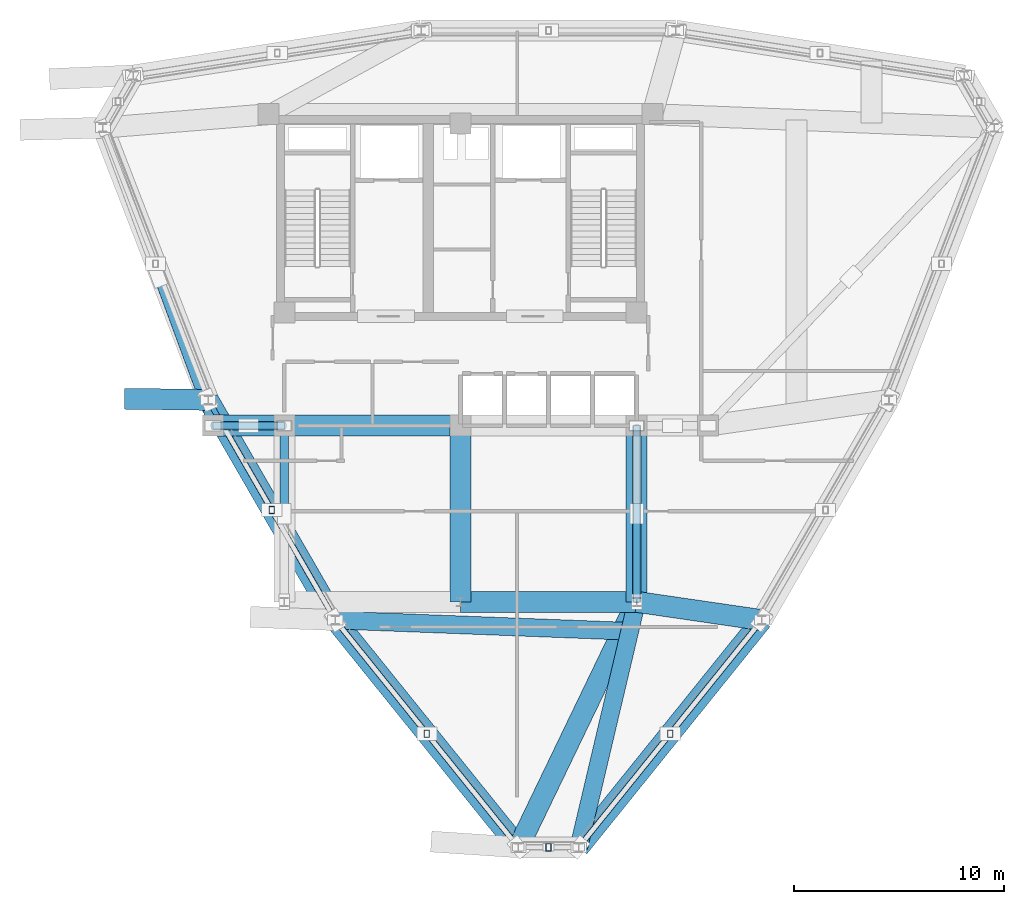
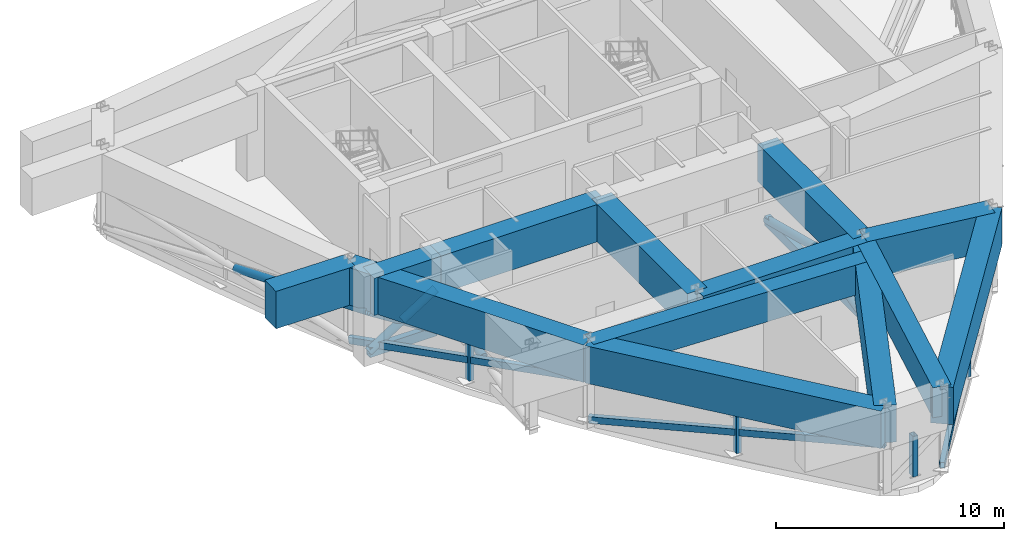
# One storey, part 2 of 11: 16 members, 13 beams.
"""IFC4 building model written with IfcOpenShell, lengths in metres."""

import ifcopenshell
import ifcopenshell.guid

model = None  # the IFC model being written
_history = None  # IfcOwnerHistory: only IFC2X3 demands one
_inside = {}  # id of a spatial element -> (the spatial element, [elements in it])
_under = {}  # id of a project, library or spatial element -> (it, [spatial elements below it])
_declared = {}  # id of a project -> (the project, [libraries it declares])
_typed = {}  # id of a type object -> (the type object, [elements of that type])
_made_of = {}  # id of a material, layer set ... -> (it, [elements and type objects made of it])


def new_model(schema):
    """Start an empty IFC model of exactly this schema.

    Asked for "IFC4X3", IfcOpenShell would pick the latest addendum, in which some entities
    have other attributes; the version numbers below select the first issue.
    IFC2X3 requires an IfcOwnerHistory on every rooted entity: one is made here for all.
    """
    global model, _history
    if schema == "IFC4X3":
        model = ifcopenshell.file(schema_version=(4, 3, 0, 0))
    else:
        model = ifcopenshell.file(schema=schema)
    _inside.clear()
    _under.clear()
    _declared.clear()
    _typed.clear()
    _made_of.clear()
    _history = None
    if model.schema == "IFC2X3":
        org = make("IfcOrganization", Name="unknown")
        user = make(
            "IfcPersonAndOrganization",
            ThePerson=make("IfcPerson", FamilyName="unknown"),
            TheOrganization=org,
        )
        app = make(
            "IfcApplication",
            ApplicationDeveloper=org,
            Version="unknown",
            ApplicationFullName="unknown",
            ApplicationIdentifier="unknown",
        )
        _history = make(
            "IfcOwnerHistory",
            OwningUser=user,
            OwningApplication=app,
            ChangeAction="ADDED",
            CreationDate=0,
        )
    return model


def make(cls, **values):
    """One entity of the class cls with the attributes given. An attribute that is None is left unset."""
    return model.create_entity(
        cls, **{name: value for name, value in values.items() if value is not None}
    )


def rooted(cls, **values):
    """An entity with a GlobalId (a new one), such as an element, a storey or a relation."""
    return make(cls, GlobalId=ifcopenshell.guid.new(), OwnerHistory=_history, **values)


def si_unit(unit_type, name, prefix=None):
    """IfcSIUnit, for example si_unit("LENGTHUNIT", "METRE", prefix="MILLI")."""
    return make("IfcSIUnit", UnitType=unit_type, Prefix=prefix, Name=name)


def derived_unit(unit_type, elements):
    """IfcDerivedUnit: a product of units, each with its exponent."""
    return make(
        "IfcDerivedUnit",
        Elements=[
            make("IfcDerivedUnitElement", Unit=unit, Exponent=power)
            for unit, power in elements
        ],
        UnitType=unit_type,
    )


def assignment(units):
    """IfcUnitAssignment: the units of a project."""
    return None if units is None else make("IfcUnitAssignment", Units=units)


def point(xyz):
    """IfcCartesianPoint."""
    return None if xyz is None else make("IfcCartesianPoint", Coordinates=xyz)


def direction(xyz):
    """IfcDirection."""
    return None if xyz is None else make("IfcDirection", DirectionRatios=xyz)


def frame(location, z_axis=None, x_axis=None):
    """IfcAxis2Placement3D, a coordinate frame: its origin and axes. An axis left out is left unset."""
    return make(
        "IfcAxis2Placement3D",
        Location=point(location),
        Axis=direction(z_axis),
        RefDirection=direction(x_axis),
    )


def frame_2d(location, x_axis=None):
    """IfcAxis2Placement2D, a coordinate frame in the plane: its origin and x axis."""
    return make(
        "IfcAxis2Placement2D", Location=point(location), RefDirection=direction(x_axis)
    )


def origin():
    """The frame at (0, 0, 0) with its axes left unset."""
    return frame((0.0, 0.0, 0.0))


def origin_2d():
    """The frame at (0, 0) in the plane with its x axis left unset."""
    return frame_2d((0.0, 0.0))


def place(relative_to, where):
    """IfcLocalPlacement: puts the frame where relative to a parent placement (None: the world)."""
    return make(
        "IfcLocalPlacement", PlacementRelTo=relative_to, RelativePlacement=where
    )


def context(
    kind, dimensions, precision=None, world=None, true_north=None, identifier=None
):
    """IfcGeometricRepresentationContext, for example the 3D "Model" context."""
    return make(
        "IfcGeometricRepresentationContext",
        ContextIdentifier=identifier,
        ContextType=kind,
        CoordinateSpaceDimension=dimensions,
        Precision=precision,
        WorldCoordinateSystem=world,
        TrueNorth=true_north,
    )


def subcontext(parent, identifier, kind, view, scale=None):
    """IfcGeometricRepresentationSubContext, for example "Body" below "Model"."""
    return make(
        "IfcGeometricRepresentationSubContext",
        ContextIdentifier=identifier,
        ContextType=kind,
        ParentContext=parent,
        TargetScale=scale,
        TargetView=view,
    )


def project(units=None, contexts=None):
    """IfcProject with its units and contexts."""
    return rooted(
        "IfcProject",
        Name="project",
        RepresentationContexts=contexts,
        UnitsInContext=assignment(units),
    )


def spatial(cls, under=None, at=None, **own):
    """A site, building, storey or space (cls), placed at a placement, below another one or the project."""
    s = rooted(cls, ObjectPlacement=at, **own)
    if under is not None:
        _under.setdefault(under.id(), (under, []))[1].append(s)
    return s


def profile(cls, at=None, kind="AREA", **sizes):
    """A parametric profile (cls). Its sizes go by their IFC names, for example OverallWidth=200.0."""
    return make(cls, ProfileType=kind, Position=at, **sizes)


def rectangle(**sizes):
    """IfcRectangleProfileDef."""
    return profile("IfcRectangleProfileDef", **sizes)


def hollow_rectangle(**sizes):
    """IfcRectangleHollowProfileDef."""
    return profile("IfcRectangleHollowProfileDef", **sizes)


def hollow_circle(**sizes):
    """IfcCircleHollowProfileDef."""
    return profile("IfcCircleHollowProfileDef", **sizes)


def extrude(swept, where, along, depth):
    """IfcExtrudedAreaSolid: the profile swept, set in the frame where, extruded along a direction by depth."""
    return make(
        "IfcExtrudedAreaSolid",
        SweptArea=swept,
        Position=where,
        ExtrudedDirection=direction(along),
        Depth=depth,
    )


def shape(context_of_items, identifier, shape_type, items):
    """IfcShapeRepresentation: the items that make up one representation, for example the "Body"."""
    return make(
        "IfcShapeRepresentation",
        ContextOfItems=context_of_items,
        RepresentationIdentifier=identifier,
        RepresentationType=shape_type,
        Items=items,
    )


def source(mapping_origin, context_of_items, identifier, shape_type, items):
    """IfcRepresentationMap: a shape defined once, which mapped items show again and again."""
    return make(
        "IfcRepresentationMap",
        MappingOrigin=mapping_origin,
        MappedRepresentation=shape(context_of_items, identifier, shape_type, items),
    )


def transform(
    local_origin,
    x_axis=None,
    y_axis=None,
    z_axis=None,
    scale=None,
    scale2=None,
    scale3=None,
    uniform=True,
):
    """IfcCartesianTransformationOperator3D, or its non-uniform kind. x_axis, y_axis, z_axis: its Axis1, 2, 3."""
    if uniform:
        return make(
            "IfcCartesianTransformationOperator3D",
            Axis1=direction(x_axis),
            Axis2=direction(y_axis),
            LocalOrigin=point(local_origin),
            Scale=scale,
            Axis3=direction(z_axis),
        )
    return make(
        "IfcCartesianTransformationOperator3DnonUniform",
        Axis1=direction(x_axis),
        Axis2=direction(y_axis),
        LocalOrigin=point(local_origin),
        Scale=scale,
        Axis3=direction(z_axis),
        Scale2=scale2,
        Scale3=scale3,
    )


def mapped(mapping_source, mapping_target):
    """IfcMappedItem: shows the shape of a source again, moved by a transform."""
    return make(
        "IfcMappedItem", MappingSource=mapping_source, MappingTarget=mapping_target
    )


def material(Name=None, Category=None):
    """IfcMaterial."""
    return make("IfcMaterial", Name=Name, Category=Category)


def material_profile(
    of_material, cross_section, Name=None, Category=None, Priority=None
):
    """IfcMaterialProfile: a cross section and its material."""
    return make(
        "IfcMaterialProfile",
        Name=Name,
        Material=of_material,
        Profile=cross_section,
        Priority=Priority,
        Category=Category,
    )


def profile_set(profiles, Name=None, composite=None):
    """IfcMaterialProfileSet."""
    return make(
        "IfcMaterialProfileSet",
        Name=Name,
        MaterialProfiles=profiles,
        CompositeProfile=composite,
    )


def made_of(thing, what):
    """Note that an element or type object is made of a material, layer set ...; save() writes the relation."""
    if what is not None:
        _made_of.setdefault(what.id(), (what, []))[1].append(thing)
    return thing


def type_object(cls, material=None, **own):
    """A type object (cls), such as IfcWallType, which elements share."""
    return made_of(rooted(cls, **own), material)


def element(
    cls,
    number,
    at=None,
    inside=None,
    cuts=None,
    type_object=None,
    material=None,
    context=None,
    identifier="Body",
    shape_type=None,
    held_by="IfcProductDefinitionShape",
    body=None,
    shapes=None,
    **own,
):
    """One element of the class cls, such as IfcWall. Its Tag is "e" and its number.

    at: its placement. inside: the storey or other place that contains it. cuts: it is an
    opening in that element (IfcRelVoidsElement). A single representation is given by context,
    identifier, shape_type and body (its items); several are given by shapes. held_by: the class
    of the entity that holds the representations. save() writes the other relations.
    """
    e = rooted(cls, Tag="e%d" % number, ObjectPlacement=at, **own)
    if body is not None:
        shapes = [shape(context, identifier, shape_type, body)]
    if shapes is not None:
        e.Representation = make(held_by, Representations=shapes)
    if inside is not None:
        _inside.setdefault(inside.id(), (inside, []))[1].append(e)
    if cuts is not None:
        rooted(
            "IfcRelVoidsElement", RelatingBuildingElement=cuts, RelatedOpeningElement=e
        )
    if type_object is not None:
        _typed.setdefault(type_object.id(), (type_object, []))[1].append(e)
    return made_of(e, material)


def aggregate(whole, parts):
    """IfcRelAggregates: a whole, such as a stair, and the parts it consists of."""
    return rooted("IfcRelAggregates", RelatingObject=whole, RelatedObjects=parts)


def save(model, path):
    """Write the relations noted so far, then the file.

    IfcRelAggregates (storeys below a building ...), IfcRelContainedInSpatialStructure (elements
    in a storey), IfcRelDefinesByType, IfcRelAssociatesMaterial and IfcRelDeclares: one each for
    every whole, place, type object, material and project.
    """
    for whole, parts in _under.values():
        aggregate(whole, parts)
    for where, things in _inside.values():
        rooted(
            "IfcRelContainedInSpatialStructure",
            RelatedElements=things,
            RelatingStructure=where,
        )
    for kind, things in _typed.values():
        rooted("IfcRelDefinesByType", RelatedObjects=things, RelatingType=kind)
    for what, things in _made_of.values():
        rooted("IfcRelAssociatesMaterial", RelatedObjects=things, RelatingMaterial=what)
    for by, libraries in _declared.values():
        rooted("IfcRelDeclares", RelatingContext=by, RelatedDefinitions=libraries)
    model.write(path)


model = new_model("IFC4")

# Units and contexts
model_context = context("Model", 3, precision=1e-05, world=origin(), true_north=direction((0.0, 1.0)))
body_context = subcontext(model_context, "Body", "Model", "MODEL_VIEW")
ifc_project = project(units=[si_unit("LENGTHUNIT", "METRE"), si_unit("AREAUNIT", "SQUARE_METRE"), si_unit("VOLUMEUNIT", "CUBIC_METRE"), si_unit("PLANEANGLEUNIT", "RADIAN"), si_unit("MASSUNIT", "GRAM", prefix="KILO"), derived_unit("THERMALTRANSMITTANCEUNIT", [(si_unit("POWERUNIT", "WATT"), 1), (si_unit("LENGTHUNIT", "METRE"), -2), (si_unit("THERMODYNAMICTEMPERATUREUNIT", "KELVIN"), -1)])], contexts=[model_context])

# Site, building, storey
site_placement = place(None, origin())
site = spatial("IfcSite", under=ifc_project, at=site_placement, CompositionType="ELEMENT")
building_placement = place(site_placement, origin())
building = spatial("IfcBuilding", under=site, at=building_placement, Name="Korsvarv Bourse and Concert Hall", CompositionType="ELEMENT")
storey_placement = place(building_placement, frame((0.0, 0.0, 238.199951171875)))
storey = spatial("IfcBuildingStorey", under=building, at=storey_placement, Name="L62", CompositionType="ELEMENT", Elevation=238.199951171875)

# Beams
ifc_material_1 = material(Name="Concrete C60/75", Category="concrete")
ifc_material_profile_1 = material_profile(ifc_material_1, rectangle(XDim=1.0, YDim=2.0, at=origin_2d()), Name="RC-BM 1000x2000")
ifc_profile_set_1 = profile_set([ifc_material_profile_1], Name="Concrete C60/75")
beam_type_1 = type_object("IfcBeamType", Name="BM-TR1", PredefinedType="BEAM", material=ifc_profile_set_1)
shared_shape_1 = source(origin(), body_context, "Body", "SweptSolid", [
    extrude(rectangle(XDim=1.0, YDim=2.0, at=origin_2d()), origin(), (0.0, 0.0, 1.0), 8.39990234375),
])
for number, where, z_axis, x_axis, name in (
    (1, (27.60009765625, 32.39990234375, 3.570068359375), (1.0, 0.0, 0.0), (0.0, 1.0, 0.0), "L62 beam B-TR1"),
    (2, (36.0, 24.0, 3.570068359375), (1.0, 0.0, 0.0), (0.0, 1.0, 0.0), "L62 beam B-TR1"),
    (3, (36.0, 24.0, 3.570068359375), (0.0, 1.0, 0.0), (-1.0, 0.0, 0.0), "L62 beam B-TR1"),
    (4, (44.39990234375, 24.0, 3.570068359375), (0.0, 1.0, 0.0), (-1.0, 0.0, 0.0), "L62 beam B-TR1"),
):
    element("IfcBeam", number, at=place(storey_placement, frame(where, z_axis=z_axis, x_axis=x_axis)), inside=storey, type_object=beam_type_1, Name=name, PredefinedType="BEAM", context=body_context, shape_type="MappedRepresentation", body=[
        mapped(shared_shape_1, transform((0.0, 0.0, 0.0), scale=1.0)),
    ])
shared_shape_2 = source(origin(), body_context, "Body", "SweptSolid", [
    extrude(rectangle(XDim=1.0, YDim=2.0, at=origin_2d()), origin(), (0.0, 0.0, 1.0), 3.400146484375),
])
beam_1_placement = place(storey_placement, frame((24.199951171875, 32.39990234375, 3.570068359375), z_axis=(1.0, 0.0, 0.0), x_axis=(0.0, 1.0, 0.0)))
element("IfcBeam", 5, at=beam_1_placement, inside=storey, type_object=beam_type_1, Name="L62 beam B-TR1", PredefinedType="BEAM", context=body_context, shape_type="MappedRepresentation", body=[
    mapped(shared_shape_2, transform((0.0, 0.0, 0.0), scale=1.0)),
])

# Members
ifc_material_2 = material(Name="Steel S460", Category="steel")
ifc_material_profile_2 = material_profile(ifc_material_2, hollow_rectangle(XDim=0.300048828125, YDim=0.5, WallThickness=0.02001953125, at=origin_2d()), Name="RHS 500x300x20")
ifc_profile_set_2 = profile_set([ifc_material_profile_2], Name="Steel S460")
member_type_1 = type_object("IfcMemberType", Name="MEM-RHS500", PredefinedType="CHORD", material=ifc_profile_set_2)
shared_shape_3 = source(origin(), body_context, "Body", "SweptSolid", [
    extrude(hollow_rectangle(XDim=0.300048828125, YDim=0.5, WallThickness=0.02001953125, at=origin_2d()), origin(), (0.0, 0.0, 1.0), 3.400146484375),
])
member_1_placement = place(storey_placement, frame((27.60009765625, 32.39990234375, 0.35009765625), z_axis=(-1.0, 0.0, 0.0), x_axis=(0.0, -1.0, 0.0)))
element("IfcMember", 6, at=member_1_placement, inside=storey, type_object=member_type_1, Name="L62 Outrigger Truss W1 Bottom Chord", PredefinedType="CHORD", context=body_context, shape_type="MappedRepresentation", body=[
    mapped(shared_shape_3, transform((0.0, 0.0, 0.0), scale=1.0)),
])
shared_shape_4 = source(origin(), body_context, "Body", "SweptSolid", [
    extrude(hollow_rectangle(XDim=0.300048828125, YDim=0.5, WallThickness=0.02001953125, at=origin_2d()), origin(), (0.0, 0.0, 1.0), 8.39990234375),
])
member_2_placement = place(storey_placement, frame((44.39990234375, 32.39990234375, 0.35009765625), z_axis=(0.0, -1.0, 0.0), x_axis=(1.0, 0.0, 0.0)))
element("IfcMember", 7, at=member_2_placement, inside=storey, type_object=member_type_1, Name="L62 Outrigger Truss S2 Bottom Chord", PredefinedType="CHORD", context=body_context, shape_type="MappedRepresentation", body=[
    mapped(shared_shape_4, transform((0.0, 0.0, 0.0), scale=1.0)),
])
ifc_material_3 = material(Name="Steel S355", Category="steel")
ifc_material_profile_3 = material_profile(ifc_material_3, hollow_rectangle(XDim=0.25, YDim=0.35009765625, WallThickness=0.012451171875, at=origin_2d()), Name="RHS 350x250x12.5")
ifc_profile_set_3 = profile_set([ifc_material_profile_3], Name="Steel S355")
member_type_2 = type_object("IfcMemberType", Name="MEM-RHS350", PredefinedType="STRUT", material=ifc_profile_set_3)
shared_shape_5 = source(origin(), body_context, "Body", "SweptSolid", [
    extrude(hollow_rectangle(XDim=0.25, YDim=0.35009765625, WallThickness=0.012451171875, at=origin_2d()), origin(), (0.0, 0.0, 1.0), 2.169921875),
])
for number, where, z_axis, x_axis, name in (
    (8, (27.000732421875, 28.37939453125, 0.35009765625), (0.0, 0.0, 1.0), (1.0, 0.0, 0.0), "L62 Perimeter Belt Truss Strut 7"),
    (9, (34.396728515625, 17.712890625, 0.35009765625), (0.0, 0.0, 1.0), (1.0, 0.0, 0.0), "L62 Perimeter Belt Truss Strut 8"),
    (10, (40.199951171875, 12.296142578125, 0.35009765625), (0.0, 0.0, 1.0), (1.0, 0.0, 0.0), "L62 Perimeter Belt Truss Strut 9"),
    (11, (46.00341796875, 17.712890625, 0.35009765625), (0.0, 0.0, 1.0), (1.0, 0.0, 0.0), "L62 Perimeter Belt Truss Strut 10"),
):
    element("IfcMember", number, at=place(storey_placement, frame(where, z_axis=z_axis, x_axis=x_axis)), inside=storey, type_object=member_type_2, Name=name, PredefinedType="STRUT", context=body_context, shape_type="MappedRepresentation", body=[
        mapped(shared_shape_5, transform((0.0, 0.0, 0.0), scale=1.0)),
    ])
ifc_material_profile_4 = material_profile(ifc_material_3, hollow_circle(Radius=0.203125, WallThickness=0.01611328125, at=origin_2d()), Name="CHS 406.4x16")
ifc_profile_set_4 = profile_set([ifc_material_profile_4], Name="Steel S355")
member_type_3 = type_object("IfcMemberType", Name="MEM-CHS406", PredefinedType="BRACE", material=ifc_profile_set_4)
shared_shape_6 = source(origin(), body_context, "Body", "SweptSolid", [
    extrude(hollow_circle(Radius=0.203125, WallThickness=0.01611328125, at=origin_2d()), origin(), (0.0, 0.0, 1.0), 4.033447265625),
])
member_3_placement = place(storey_placement, frame((27.60009765625, 32.39990234375, 0.35009765625), z_axis=(-0.842965426826, 0.0, 0.537967739903), x_axis=(0.0, -1.0, 0.0)))
element("IfcMember", 12, at=member_3_placement, inside=storey, type_object=member_type_3, Name="L62 Outrigger Truss W1 Diagonal 1", PredefinedType="BRACE", context=body_context, shape_type="MappedRepresentation", body=[
    mapped(shared_shape_6, transform((0.0, 0.0, 0.0), scale=1.0)),
])
shared_shape_7 = source(origin(), body_context, "Body", "SweptSolid", [
    extrude(hollow_circle(Radius=0.203125, WallThickness=0.01611328125, at=origin_2d()), origin(), (0.0, 0.0, 1.0), 2.0166015625),
])
member_4_placement = place(storey_placement, frame((24.199951171875, 32.39990234375, 0.35009765625), z_axis=(0.842947908287, 0.0, 0.537995189491), x_axis=(0.0, 1.0, 0.0)))
element("IfcMember", 13, at=member_4_placement, inside=storey, type_object=member_type_3, Name="L62 Outrigger Truss W1 Split Diagonal 2A", PredefinedType="BRACE", context=body_context, shape_type="MappedRepresentation", body=[
    mapped(shared_shape_7, transform((0.0, 0.0, 0.0), scale=1.0)),
])
shared_shape_8 = source(origin(), body_context, "Body", "SweptSolid", [
    extrude(hollow_circle(Radius=0.203125, WallThickness=0.01611328125, at=origin_2d()), origin(), (0.0, 0.0, 1.0), 2.016845703125),
])
member_5_placement = place(storey_placement, frame((25.89990234375, 32.39990234375, 1.43505859375), z_axis=(0.842982942684, 0.0, 0.537940292546), x_axis=(0.0, 1.0, 0.0)))
element("IfcMember", 14, at=member_5_placement, inside=storey, type_object=member_type_3, Name="L62 Outrigger Truss W1 Split Diagonal 2B", PredefinedType="BRACE", context=body_context, shape_type="MappedRepresentation", body=[
    mapped(shared_shape_8, transform((0.0, 0.0, 0.0), scale=1.0)),
])
shared_shape_9 = source(origin(), body_context, "Body", "SweptSolid", [
    extrude(hollow_circle(Radius=0.203125, WallThickness=0.01611328125, at=origin_2d()), origin(), (0.0, 0.0, 1.0), 8.675537109375),
])
member_6_placement = place(storey_placement, frame((44.39990234375, 32.39990234375, 0.35009765625), z_axis=(0.0, -0.968215796223, 0.250116316829), x_axis=(1.0, 0.0, 0.0)))
element("IfcMember", 15, at=member_6_placement, inside=storey, type_object=member_type_3, Name="L62 Outrigger Truss S2 Diagonal 1", PredefinedType="BRACE", context=body_context, shape_type="MappedRepresentation", body=[
    mapped(shared_shape_9, transform((0.0, 0.0, 0.0), scale=1.0)),
])
shared_shape_10 = source(origin(), body_context, "Body", "SweptSolid", [
    extrude(hollow_circle(Radius=0.203125, WallThickness=0.01611328125, at=origin_2d()), origin(), (0.0, 0.0, 1.0), 4.337890625),
])
for number, where, z_axis, x_axis, name in (
    (16, (27.60009765625, 28.199951171875, 1.43505859375), (0.0, 0.968215796223, 0.250116316829), (-1.0, 0.0, 0.0), "L62 Outrigger Truss S1 Split Diagonal 2B"),
    (17, (44.39990234375, 24.0, 0.35009765625), (0.0, 0.968215796223, 0.250116316829), (-1.0, 0.0, 0.0), "L62 Outrigger Truss S2 Split Diagonal 2A"),
):
    element("IfcMember", number, at=place(storey_placement, frame(where, z_axis=z_axis, x_axis=x_axis)), inside=storey, type_object=member_type_3, Name=name, PredefinedType="BRACE", context=body_context, shape_type="MappedRepresentation", body=[
        mapped(shared_shape_10, transform((0.0, 0.0, 0.0), scale=1.0)),
    ])

# Beams
shared_shape_11 = source(origin(), body_context, "Body", "SweptSolid", [
    extrude(rectangle(XDim=1.0, YDim=2.0, at=origin_2d()), origin(), (0.0, 0.0, 1.0), 13.913330078125),
])
for number, where, z_axis, x_axis, name in (
    (18, (30.03173828125, 23.1298828125, 3.570068359375), (0.627451613124, -0.778655554907, 0.0), (0.778655554907, 0.627451613124, 0.0), "L62 beam B-TR1"),
    (19, (41.638427734375, 12.296142578125, 3.570068359375), (0.627451613124, 0.778655554907, 0.0), (-0.778655554907, 0.627451613124, 0.0), "L62 beam B-TR1"),
):
    element("IfcBeam", number, at=place(storey_placement, frame(where, z_axis=z_axis, x_axis=x_axis)), inside=storey, type_object=beam_type_1, Name=name, PredefinedType="BEAM", context=body_context, shape_type="MappedRepresentation", body=[
        mapped(shared_shape_11, transform((0.0, 0.0, 0.0), scale=1.0)),
    ])
shared_shape_12 = source(origin(), body_context, "Body", "SweptSolid", [
    extrude(rectangle(XDim=1.0, YDim=2.0, at=origin_2d()), origin(), (0.0, 0.0, 1.0), 12.12353515625),
])
beam_2_placement = place(storey_placement, frame((23.969970703125, 33.629150390625, 3.570068359375), z_axis=(0.500000780442, -0.866024953196, 0.0), x_axis=(0.866024953196, 0.500000780442, 0.0)))
element("IfcBeam", 20, at=beam_2_placement, inside=storey, type_object=beam_type_1, Name="L62 beam B-TR1", PredefinedType="BEAM", context=body_context, shape_type="MappedRepresentation", body=[
    mapped(shared_shape_12, transform((0.0, 0.0, 0.0), scale=1.0)),
])
shared_shape_13 = source(origin(), body_context, "Body", "SweptSolid", [
    extrude(rectangle(XDim=1.0, YDim=2.0, at=origin_2d()), origin(), (0.0, 0.0, 1.0), 12.9912109375),
])
beam_3_placement = place(storey_placement, frame((38.76171875, 12.296142578125, 3.570068359375), z_axis=(0.434002638288, 0.900911599414, 0.0), x_axis=(-0.900911599414, 0.434002638288, 0.0)))
element("IfcBeam", 21, at=beam_3_placement, inside=storey, type_object=beam_type_1, Name="L62 beam B-TR1", PredefinedType="BEAM", context=body_context, shape_type="MappedRepresentation", body=[
    mapped(shared_shape_13, transform((0.0, 0.0, 0.0), scale=1.0)),
])
shared_shape_14 = source(origin(), body_context, "Body", "SweptSolid", [
    extrude(rectangle(XDim=1.0, YDim=2.0, at=origin_2d()), origin(), (0.0, 0.0, 1.0), 6.031494140625),
])
beam_4_placement = place(storey_placement, frame((50.368408203125, 23.1298828125, 3.570068359375), z_axis=(-0.98953984365, 0.144259827495, 0.0), x_axis=(-0.144259827495, -0.98953984365, 0.0)))
element("IfcBeam", 22, at=beam_4_placement, inside=storey, type_object=beam_type_1, Name="L62 beam B-TR1", PredefinedType="BEAM", context=body_context, shape_type="MappedRepresentation", body=[
    mapped(shared_shape_14, transform((0.0, 0.0, 0.0), scale=1.0)),
])
shared_shape_15 = source(origin(), body_context, "Body", "SweptSolid", [
    extrude(rectangle(XDim=1.0, YDim=2.0, at=origin_2d()), origin(), (0.0, 0.0, 1.0), 3.991455078125),
])
beam_5_placement = place(storey_placement, frame((23.969970703125, 33.629150390625, 3.570068359375), z_axis=(-0.999906965721, 0.013640377645, 0.0), x_axis=(-0.013640377645, -0.999906965721, 0.0)))
element("IfcBeam", 23, at=beam_5_placement, inside=storey, type_object=beam_type_1, Name="L62 Block-Shift Transfer Girder 7", PredefinedType="BEAM", context=body_context, shape_type="MappedRepresentation", body=[
    mapped(shared_shape_15, transform((0.0, 0.0, 0.0), scale=1.0)),
])
ifc_material_4 = material(Name="Concrete C55/67", Category="concrete")
ifc_material_profile_5 = material_profile(ifc_material_4, rectangle(XDim=0.85009765625, YDim=1.60009765625, at=origin_2d()), Name="RC-BM 850x1600")
ifc_profile_set_5 = profile_set([ifc_material_profile_5], Name="Concrete C55/67")
beam_type_2 = type_object("IfcBeamType", Name="BM-TR1B", PredefinedType="BEAM", material=ifc_profile_set_5)
shared_shape_16 = source(origin(), body_context, "Body", "SweptSolid", [
    extrude(rectangle(XDim=0.85009765625, YDim=1.60009765625, at=origin_2d()), origin(), (0.0, 0.0, 1.0), 12.025146484375),
])
beam_6_placement = place(storey_placement, frame((41.638427734375, 12.296142578125, 3.77001953125), z_axis=(0.229640173849, 0.973275598458, 0.0), x_axis=(-0.973275598458, 0.229640173849, 0.0)))
element("IfcBeam", 24, at=beam_6_placement, inside=storey, type_object=beam_type_2, Name="L62 beam B-TR2", PredefinedType="BEAM", context=body_context, shape_type="MappedRepresentation", body=[
    mapped(shared_shape_16, transform((0.0, 0.0, 0.0), scale=1.0)),
])
shared_shape_17 = source(origin(), body_context, "Body", "SweptSolid", [
    extrude(rectangle(XDim=0.85009765625, YDim=1.60009765625, at=origin_2d()), origin(), (0.0, 0.0, 1.0), 14.04736328125),
])
beam_7_placement = place(storey_placement, frame((44.06884765625, 22.59619140625, 3.77001953125), z_axis=(-0.999278021058, 0.037992586511, 0.0), x_axis=(-0.037992586511, -0.999278021058, 0.0)))
element("IfcBeam", 25, at=beam_7_placement, inside=storey, type_object=beam_type_2, Name="L62 beam B-TR2", PredefinedType="BEAM", context=body_context, shape_type="MappedRepresentation", body=[
    mapped(shared_shape_17, transform((0.0, 0.0, 0.0), scale=1.0)),
])

# Members
shared_shape_18 = source(origin(), body_context, "Body", "SweptSolid", [
    extrude(hollow_circle(Radius=0.203125, WallThickness=0.01611328125, at=origin_2d()), origin(), (0.0, 0.0, 1.0), 7.649658203125),
])
member_7_placement = place(storey_placement, frame((21.576416015625, 39.503173828125, 1.43505859375), z_axis=(0.342963228384, -0.928579483514, 0.1418321782), x_axis=(0.938062623275, 0.3464657484, 0.0)))
element("IfcMember", 26, at=member_7_placement, inside=storey, type_object=member_type_3, Name="L62 Outrigger Truss W2 Split Diagonal 2B", PredefinedType="BRACE", context=body_context, shape_type="MappedRepresentation", body=[
    mapped(shared_shape_18, transform((0.0, 0.0, 0.0), scale=1.0)),
])
shared_shape_19 = source(origin(), body_context, "Body", "SweptSolid", [
    extrude(hollow_rectangle(XDim=0.25, YDim=0.35009765625, WallThickness=0.012451171875, at=origin_2d()), origin(), (0.0, 0.0, 1.0), 14.08154296875),
])
for number, where, z_axis, x_axis, name in (
    (27, (30.03173828125, 23.1298828125, 0.35009765625), (0.619957215072, -0.769355149024, 0.154096418356), (0.778655554907, 0.627451613124, 0.0), "L62 Perimeter Belt Truss Diagonal 8"),
    (28, (41.638427734375, 12.296142578125, 0.35009765625), (0.619957215072, 0.769355149024, 0.154096418356), (-0.778655554907, 0.627451613124, 0.0), "L62 Perimeter Belt Truss Diagonal 10"),
):
    element("IfcMember", number, at=place(storey_placement, frame(where, z_axis=z_axis, x_axis=x_axis)), inside=storey, type_object=member_type_2, Name=name, PredefinedType="STRUT", context=body_context, shape_type="MappedRepresentation", body=[
        mapped(shared_shape_19, transform((0.0, 0.0, 0.0), scale=1.0)),
    ])
shared_shape_20 = source(origin(), body_context, "Body", "SweptSolid", [
    extrude(hollow_rectangle(XDim=0.25, YDim=0.35009765625, WallThickness=0.012451171875, at=origin_2d()), origin(), (0.0, 0.0, 1.0), 12.316162109375),
])
member_8_placement = place(storey_placement, frame((23.969970703125, 33.629150390625, 0.35009765625), z_axis=(0.492179331299, -0.852477834086, 0.176184699206), x_axis=(0.866024953196, 0.500000780442, 0.0)))
element("IfcMember", 29, at=member_8_placement, inside=storey, type_object=member_type_2, Name="L62 Perimeter Belt Truss Diagonal 7", PredefinedType="STRUT", context=body_context, shape_type="MappedRepresentation", body=[
    mapped(shared_shape_20, transform((0.0, 0.0, 0.0), scale=1.0)),
])

save(model, "model.ifc")
